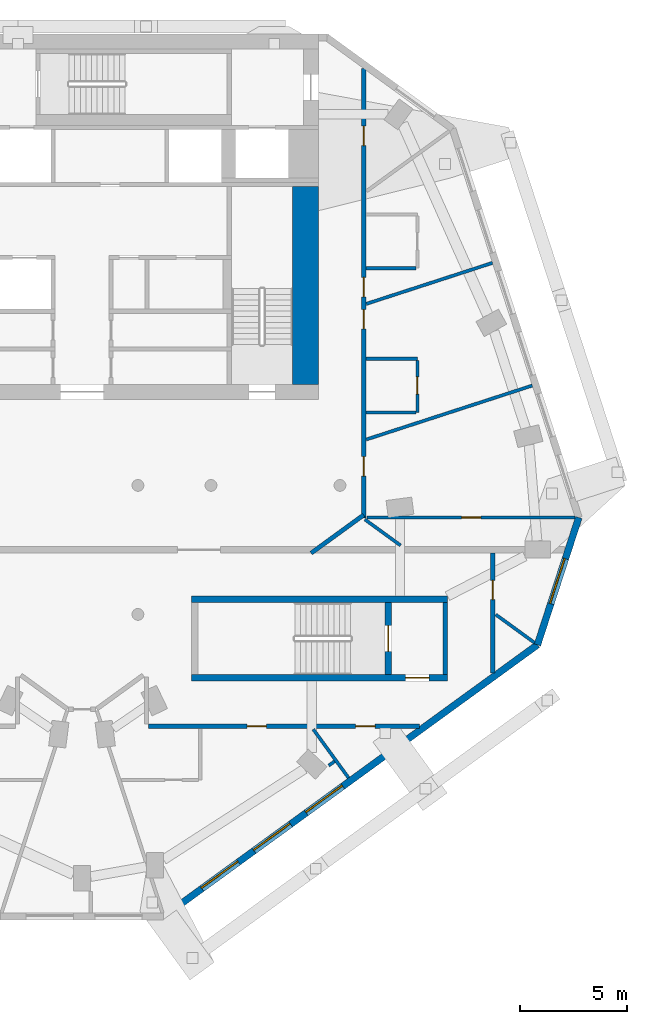
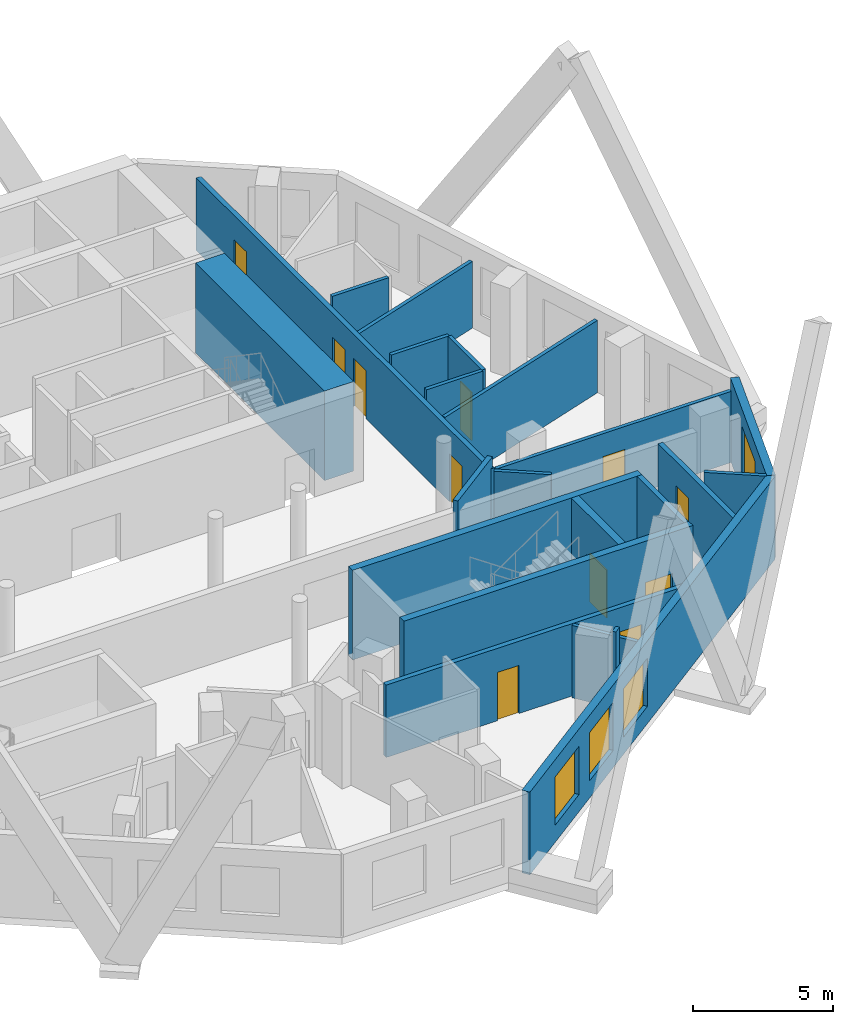
# One storey, part 5 of 9: 22 walls, 11 doors, 4 windows, 15 openings.
"""IFC4 building model written with IfcOpenShell, lengths in metres."""

import ifcopenshell
import ifcopenshell.guid

model = None  # the IFC model being written
_history = None  # IfcOwnerHistory: only IFC2X3 demands one
_inside = {}  # id of a spatial element -> (the spatial element, [elements in it])
_under = {}  # id of a project, library or spatial element -> (it, [spatial elements below it])
_declared = {}  # id of a project -> (the project, [libraries it declares])
_typed = {}  # id of a type object -> (the type object, [elements of that type])
_made_of = {}  # id of a material, layer set ... -> (it, [elements and type objects made of it])


def new_model(schema):
    """Start an empty IFC model of exactly this schema.

    Asked for "IFC4X3", IfcOpenShell would pick the latest addendum, in which some entities
    have other attributes; the version numbers below select the first issue.
    IFC2X3 requires an IfcOwnerHistory on every rooted entity: one is made here for all.
    """
    global model, _history
    if schema == "IFC4X3":
        model = ifcopenshell.file(schema_version=(4, 3, 0, 0))
    else:
        model = ifcopenshell.file(schema=schema)
    _inside.clear()
    _under.clear()
    _declared.clear()
    _typed.clear()
    _made_of.clear()
    _history = None
    if model.schema == "IFC2X3":
        org = make("IfcOrganization", Name="unknown")
        user = make(
            "IfcPersonAndOrganization",
            ThePerson=make("IfcPerson", FamilyName="unknown"),
            TheOrganization=org,
        )
        app = make(
            "IfcApplication",
            ApplicationDeveloper=org,
            Version="unknown",
            ApplicationFullName="unknown",
            ApplicationIdentifier="unknown",
        )
        _history = make(
            "IfcOwnerHistory",
            OwningUser=user,
            OwningApplication=app,
            ChangeAction="ADDED",
            CreationDate=0,
        )
    return model


def make(cls, **values):
    """One entity of the class cls with the attributes given. An attribute that is None is left unset."""
    return model.create_entity(
        cls, **{name: value for name, value in values.items() if value is not None}
    )


def rooted(cls, **values):
    """An entity with a GlobalId (a new one), such as an element, a storey or a relation."""
    return make(cls, GlobalId=ifcopenshell.guid.new(), OwnerHistory=_history, **values)


def si_unit(unit_type, name, prefix=None):
    """IfcSIUnit, for example si_unit("LENGTHUNIT", "METRE", prefix="MILLI")."""
    return make("IfcSIUnit", UnitType=unit_type, Prefix=prefix, Name=name)


def assignment(units):
    """IfcUnitAssignment: the units of a project."""
    return None if units is None else make("IfcUnitAssignment", Units=units)


def point(xyz):
    """IfcCartesianPoint."""
    return None if xyz is None else make("IfcCartesianPoint", Coordinates=xyz)


def direction(xyz):
    """IfcDirection."""
    return None if xyz is None else make("IfcDirection", DirectionRatios=xyz)


def frame(location, z_axis=None, x_axis=None):
    """IfcAxis2Placement3D, a coordinate frame: its origin and axes. An axis left out is left unset."""
    return make(
        "IfcAxis2Placement3D",
        Location=point(location),
        Axis=direction(z_axis),
        RefDirection=direction(x_axis),
    )


def frame_2d(location, x_axis=None):
    """IfcAxis2Placement2D, a coordinate frame in the plane: its origin and x axis."""
    return make(
        "IfcAxis2Placement2D", Location=point(location), RefDirection=direction(x_axis)
    )


def origin():
    """The frame at (0, 0, 0) with its axes left unset."""
    return frame((0.0, 0.0, 0.0))


def place(relative_to, where):
    """IfcLocalPlacement: puts the frame where relative to a parent placement (None: the world)."""
    return make(
        "IfcLocalPlacement", PlacementRelTo=relative_to, RelativePlacement=where
    )


def context(
    kind, dimensions, precision=None, world=None, true_north=None, identifier=None
):
    """IfcGeometricRepresentationContext, for example the 3D "Model" context."""
    return make(
        "IfcGeometricRepresentationContext",
        ContextIdentifier=identifier,
        ContextType=kind,
        CoordinateSpaceDimension=dimensions,
        Precision=precision,
        WorldCoordinateSystem=world,
        TrueNorth=true_north,
    )


def subcontext(parent, identifier, kind, view, scale=None):
    """IfcGeometricRepresentationSubContext, for example "Body" below "Model"."""
    return make(
        "IfcGeometricRepresentationSubContext",
        ContextIdentifier=identifier,
        ContextType=kind,
        ParentContext=parent,
        TargetScale=scale,
        TargetView=view,
    )


def project(units=None, contexts=None):
    """IfcProject with its units and contexts."""
    return rooted(
        "IfcProject",
        Name="project",
        RepresentationContexts=contexts,
        UnitsInContext=assignment(units),
    )


def spatial(cls, under=None, at=None, **own):
    """A site, building, storey or space (cls), placed at a placement, below another one or the project."""
    s = rooted(cls, ObjectPlacement=at, **own)
    if under is not None:
        _under.setdefault(under.id(), (under, []))[1].append(s)
    return s


def profile(cls, at=None, kind="AREA", **sizes):
    """A parametric profile (cls). Its sizes go by their IFC names, for example OverallWidth=200.0."""
    return make(cls, ProfileType=kind, Position=at, **sizes)


def rectangle(**sizes):
    """IfcRectangleProfileDef."""
    return profile("IfcRectangleProfileDef", **sizes)


def extrude(swept, where, along, depth):
    """IfcExtrudedAreaSolid: the profile swept, set in the frame where, extruded along a direction by depth."""
    return make(
        "IfcExtrudedAreaSolid",
        SweptArea=swept,
        Position=where,
        ExtrudedDirection=direction(along),
        Depth=depth,
    )


def shape(context_of_items, identifier, shape_type, items):
    """IfcShapeRepresentation: the items that make up one representation, for example the "Body"."""
    return make(
        "IfcShapeRepresentation",
        ContextOfItems=context_of_items,
        RepresentationIdentifier=identifier,
        RepresentationType=shape_type,
        Items=items,
    )


def material(Name=None, Category=None):
    """IfcMaterial."""
    return make("IfcMaterial", Name=Name, Category=Category)


def layer(
    of_material, thickness, ventilated=None, Name=None, Category=None, Priority=None
):
    """IfcMaterialLayer: one layer of a wall or slab, of a material (None: an air gap)."""
    return make(
        "IfcMaterialLayer",
        Material=of_material,
        LayerThickness=thickness,
        IsVentilated=ventilated,
        Name=Name,
        Category=Category,
        Priority=Priority,
    )


def layer_set(layers, Name=None):
    """IfcMaterialLayerSet."""
    return make("IfcMaterialLayerSet", MaterialLayers=layers, LayerSetName=Name)


def made_of(thing, what):
    """Note that an element or type object is made of a material, layer set ...; save() writes the relation."""
    if what is not None:
        _made_of.setdefault(what.id(), (what, []))[1].append(thing)
    return thing


def type_object(cls, material=None, **own):
    """A type object (cls), such as IfcWallType, which elements share."""
    return made_of(rooted(cls, **own), material)


def element(
    cls,
    number,
    at=None,
    inside=None,
    cuts=None,
    type_object=None,
    material=None,
    context=None,
    identifier="Body",
    shape_type=None,
    held_by="IfcProductDefinitionShape",
    body=None,
    shapes=None,
    **own,
):
    """One element of the class cls, such as IfcWall. Its Tag is "e" and its number.

    at: its placement. inside: the storey or other place that contains it. cuts: it is an
    opening in that element (IfcRelVoidsElement). A single representation is given by context,
    identifier, shape_type and body (its items); several are given by shapes. held_by: the class
    of the entity that holds the representations. save() writes the other relations.
    """
    e = rooted(cls, Tag="e%d" % number, ObjectPlacement=at, **own)
    if body is not None:
        shapes = [shape(context, identifier, shape_type, body)]
    if shapes is not None:
        e.Representation = make(held_by, Representations=shapes)
    if inside is not None:
        _inside.setdefault(inside.id(), (inside, []))[1].append(e)
    if cuts is not None:
        rooted(
            "IfcRelVoidsElement", RelatingBuildingElement=cuts, RelatedOpeningElement=e
        )
    if type_object is not None:
        _typed.setdefault(type_object.id(), (type_object, []))[1].append(e)
    return made_of(e, material)


def fill(opening, filler):
    """IfcRelFillsElement: the door or window that sits in an opening."""
    return rooted(
        "IfcRelFillsElement",
        RelatingOpeningElement=opening,
        RelatedBuildingElement=filler,
    )


def aggregate(whole, parts):
    """IfcRelAggregates: a whole, such as a stair, and the parts it consists of."""
    return rooted("IfcRelAggregates", RelatingObject=whole, RelatedObjects=parts)


def save(model, path):
    """Write the relations noted so far, then the file.

    IfcRelAggregates (storeys below a building ...), IfcRelContainedInSpatialStructure (elements
    in a storey), IfcRelDefinesByType, IfcRelAssociatesMaterial and IfcRelDeclares: one each for
    every whole, place, type object, material and project.
    """
    for whole, parts in _under.values():
        aggregate(whole, parts)
    for where, things in _inside.values():
        rooted(
            "IfcRelContainedInSpatialStructure",
            RelatedElements=things,
            RelatingStructure=where,
        )
    for kind, things in _typed.values():
        rooted("IfcRelDefinesByType", RelatedObjects=things, RelatingType=kind)
    for what, things in _made_of.values():
        rooted("IfcRelAssociatesMaterial", RelatedObjects=things, RelatingMaterial=what)
    for by, libraries in _declared.values():
        rooted("IfcRelDeclares", RelatingContext=by, RelatedDefinitions=libraries)
    model.write(path)


model = new_model("IFC4")

# Units and contexts
model_context = context("Model", 3, precision=1e-05, world=origin(), true_north=direction((0.0, 1.0)))
body_context = subcontext(model_context, "Body", "Model", "MODEL_VIEW")
ifc_project = project(units=[si_unit("LENGTHUNIT", "METRE"), si_unit("AREAUNIT", "SQUARE_METRE"), si_unit("VOLUMEUNIT", "CUBIC_METRE"), si_unit("PLANEANGLEUNIT", "RADIAN"), si_unit("MASSUNIT", "GRAM", prefix="KILO")], contexts=[model_context])

# Site, building, storey
site_placement = place(None, origin())
site = spatial("IfcSite", under=ifc_project, at=site_placement, CompositionType="ELEMENT")
building_placement = place(site_placement, origin())
building = spatial("IfcBuilding", under=site, at=building_placement, Name="White Candle Pilgrim Tower", CompositionType="ELEMENT")
storey_placement = place(building_placement, frame((0.0, 0.0, 271.699951171875)))
storey = spatial("IfcBuildingStorey", under=building, at=storey_placement, Name="L64", CompositionType="ELEMENT", Elevation=271.699951171875)

# Wall
ifc_material_1 = material(Name="Concrete C50/60", Category="concrete")
ifc_layer_1 = layer(ifc_material_1, 0.199951171875)
ifc_layer_set_1 = layer_set([ifc_layer_1], Name="Core wall 200 mm Concrete C50/60")
wall_type_1 = type_object("IfcWallType", Name="Core wall 200 mm Concrete C50/60", PredefinedType="SHEAR", material=ifc_layer_set_1)
wall_1_placement = place(storey_placement, frame((86.89990234375, 58.199951171875, 0.0), z_axis=(0.0, 0.0, 1.0), x_axis=(0.0, 1.0, 0.0)))
element("IfcWall", 1, at=wall_1_placement, inside=storey, type_object=wall_type_1, Name="WL-L64-C08", PredefinedType="SHEAR", context=body_context, shape_type="SweptSolid", body=[
    extrude(rectangle(XDim=3.35009765625, YDim=0.199951171875, at=frame_2d((1.675048828125, 0.0))), origin(), (0.0, 0.0, 1.0), 3.900146484375),
])

# Wall, openings, doors
ifc_material_2 = material(Name="Gypsum board on steel studs", Category="steel")
ifc_layer_2 = layer(ifc_material_2, 0.199951171875)
ifc_layer_set_2 = layer_set([ifc_layer_2], Name="Corridor wall 200 mm EI 45")
wall_type_2 = type_object("IfcWallType", Name="Corridor wall 200 mm EI 45", PredefinedType="PARTITIONING", material=ifc_layer_set_2)
wall_2_placement = place(storey_placement, frame((83.10009765625, 86.396240234375, 0.0), z_axis=(0.0, 0.0, 1.0), x_axis=(0.0, -1.0, 0.0)))
wall_2 = element("IfcWall", 2, at=wall_2_placement, inside=storey, type_object=wall_type_2, Name="WL-L64-P004", PredefinedType="PARTITIONING", context=body_context, shape_type="SweptSolid", body=[
    extrude(rectangle(XDim=20.91943359375, YDim=0.199951171875, at=frame_2d((10.459716796875, 0.0))), origin(), (0.0, 0.0, 1.0), 3.150146484375),
])
opening_1_placement = place(wall_2_placement, frame((2.68798828125, 0.0, 0.0)))
opening_1 = element("IfcOpeningElement", 3, at=opening_1_placement, cuts=wall_2, Name="Opening T20-117", PredefinedType="OPENING", context=body_context, shape_type="SweptSolid", body=[
    extrude(rectangle(XDim=0.89990234375, YDim=2.10009765625, at=frame_2d((0.449951171875, 1.050048828125))), frame((0.0, 0.10986328125, 0.0), z_axis=(0.0, -1.0, 0.0), x_axis=(1.0, 0.0, 0.0)), (0.0, 0.0, 1.0), 0.219970703125),
])
opening_2_placement = place(wall_2_placement, frame((9.719970703125, 0.0, 0.0)))
opening_2 = element("IfcOpeningElement", 4, at=opening_2_placement, cuts=wall_2, Name="Opening T20-118", PredefinedType="OPENING", context=body_context, shape_type="SweptSolid", body=[
    extrude(rectangle(XDim=0.89990234375, YDim=2.10009765625, at=frame_2d((0.449951171875, 1.050048828125))), frame((0.0, 0.10986328125, 0.0), z_axis=(0.0, -1.0, 0.0), x_axis=(1.0, 0.0, 0.0)), (0.0, 0.0, 1.0), 0.219970703125),
])
opening_3_placement = place(wall_2_placement, frame((11.214111328125, 0.0, 0.0)))
opening_3 = element("IfcOpeningElement", 5, at=opening_3_placement, cuts=wall_2, Name="Opening T20-119", PredefinedType="OPENING", context=body_context, shape_type="SweptSolid", body=[
    extrude(rectangle(XDim=0.89990234375, YDim=2.10009765625, at=frame_2d((0.449951171875, 1.050048828125))), frame((0.0, 0.10986328125, 0.0), z_axis=(0.0, -1.0, 0.0), x_axis=(1.0, 0.0, 0.0)), (0.0, 0.0, 1.0), 0.219970703125),
])
opening_4_placement = place(wall_2_placement, frame((18.05859375, 0.0, 0.0)))
opening_4 = element("IfcOpeningElement", 6, at=opening_4_placement, cuts=wall_2, Name="Opening T20-120", PredefinedType="OPENING", context=body_context, shape_type="SweptSolid", body=[
    extrude(rectangle(XDim=0.89990234375, YDim=2.10009765625, at=frame_2d((0.449951171875, 1.050048828125))), frame((0.0, 0.10986328125, 0.0), z_axis=(0.0, -1.0, 0.0), x_axis=(1.0, 0.0, 0.0)), (0.0, 0.0, 1.0), 0.219970703125),
])
ifc_material_3 = material(Name="Steel door leaf", Category="steel")
door_type_1 = type_object("IfcDoorType", Name="Fire door 900 x 2100 EI 30", OperationType="NOTDEFINED", PredefinedType="DOOR", material=ifc_material_3)
door_1_placement = place(opening_1_placement, origin())
door_1 = element("IfcDoor", 7, at=door_1_placement, inside=storey, type_object=door_type_1, Name="Door T20-117", OperationType="SINGLE_SWING_LEFT", OverallHeight=2.10009765625, OverallWidth=0.89990234375, PredefinedType="DOOR", context=body_context, shape_type="SweptSolid", body=[
    extrude(rectangle(XDim=0.89990234375, YDim=2.10009765625, at=frame_2d((0.449951171875, 1.050048828125))), frame((0.0, 0.02490234375, 0.0), z_axis=(0.0, -1.0, 0.0), x_axis=(1.0, 0.0, 0.0)), (0.0, 0.0, 1.0), 0.050048828125),
])
fill(opening_1, door_1)
door_2_placement = place(opening_2_placement, origin())
door_2 = element("IfcDoor", 8, at=door_2_placement, inside=storey, type_object=door_type_1, Name="Door T20-118", OperationType="SINGLE_SWING_RIGHT", OverallHeight=2.10009765625, OverallWidth=0.89990234375, PredefinedType="DOOR", context=body_context, shape_type="SweptSolid", body=[
    extrude(rectangle(XDim=0.89990234375, YDim=2.10009765625, at=frame_2d((0.449951171875, 1.050048828125))), frame((0.0, 0.02490234375, 0.0), z_axis=(0.0, -1.0, 0.0), x_axis=(1.0, 0.0, 0.0)), (0.0, 0.0, 1.0), 0.050048828125),
])
fill(opening_2, door_2)
door_3_placement = place(opening_3_placement, origin())
door_3 = element("IfcDoor", 9, at=door_3_placement, inside=storey, type_object=door_type_1, Name="Door T20-119", OperationType="SINGLE_SWING_LEFT", OverallHeight=2.10009765625, OverallWidth=0.89990234375, PredefinedType="DOOR", context=body_context, shape_type="SweptSolid", body=[
    extrude(rectangle(XDim=0.89990234375, YDim=2.10009765625, at=frame_2d((0.449951171875, 1.050048828125))), frame((0.0, 0.02490234375, 0.0), z_axis=(0.0, -1.0, 0.0), x_axis=(1.0, 0.0, 0.0)), (0.0, 0.0, 1.0), 0.050048828125),
])
fill(opening_3, door_3)
door_4_placement = place(opening_4_placement, origin())
door_4 = element("IfcDoor", 10, at=door_4_placement, inside=storey, type_object=door_type_1, Name="Door T20-120", OperationType="SINGLE_SWING_RIGHT", OverallHeight=2.10009765625, OverallWidth=0.89990234375, PredefinedType="DOOR", context=body_context, shape_type="SweptSolid", body=[
    extrude(rectangle(XDim=0.89990234375, YDim=2.10009765625, at=frame_2d((0.449951171875, 1.050048828125))), frame((0.0, 0.02490234375, 0.0), z_axis=(0.0, -1.0, 0.0), x_axis=(1.0, 0.0, 0.0)), (0.0, 0.0, 1.0), 0.050048828125),
])
fill(opening_4, door_4)

# Wall
wall_3_placement = place(storey_placement, frame((83.10009765625, 65.624267578125, 0.0), z_axis=(0.0, 0.0, 1.0), x_axis=(-0.809040258859, -0.587753230144, 0.0)))
element("IfcWall", 11, at=wall_3_placement, inside=storey, type_object=wall_type_2, Name="WL-L64-P005", PredefinedType="PARTITIONING", context=body_context, shape_type="SweptSolid", body=[
    extrude(rectangle(XDim=3.0185546875, YDim=0.199951171875, at=frame_2d((1.50927734375, 0.0))), origin(), (0.0, 0.0, 1.0), 3.60009765625),
])

# Wall, opening, door
wall_4_placement = place(storey_placement, frame((89.10009765625, 63.85009765625, 0.0), z_axis=(0.0, 0.0, 1.0), x_axis=(0.0, -1.0, 0.0)))
wall_4 = element("IfcWall", 12, at=wall_4_placement, inside=storey, type_object=wall_type_2, Name="WL-L64-P006", PredefinedType="PARTITIONING", context=body_context, shape_type="SweptSolid", body=[
    extrude(rectangle(XDim=5.58447265625, YDim=0.199951171875, at=frame_2d((2.792236328125, 0.0))), origin(), (0.0, 0.0, 1.0), 3.150146484375),
])
opening_5_placement = place(wall_4_placement, frame((1.264892578125, 0.0, 0.0)))
opening_5 = element("IfcOpeningElement", 13, at=opening_5_placement, cuts=wall_4, Name="Opening T20-122", PredefinedType="OPENING", context=body_context, shape_type="SweptSolid", body=[
    extrude(rectangle(XDim=0.89990234375, YDim=2.10009765625, at=frame_2d((0.449951171875, 1.050048828125))), frame((0.0, 0.10986328125, 0.0), z_axis=(0.0, -1.0, 0.0), x_axis=(1.0, 0.0, 0.0)), (0.0, 0.0, 1.0), 0.219970703125),
])
door_5_placement = place(opening_5_placement, origin())
door_5 = element("IfcDoor", 14, at=door_5_placement, inside=storey, type_object=door_type_1, Name="Door T20-122", OperationType="SINGLE_SWING_RIGHT", OverallHeight=2.10009765625, OverallWidth=0.89990234375, PredefinedType="DOOR", context=body_context, shape_type="SweptSolid", body=[
    extrude(rectangle(XDim=0.89990234375, YDim=2.10009765625, at=frame_2d((0.449951171875, 1.050048828125))), frame((0.0, 0.02490234375, 0.0), z_axis=(0.0, -1.0, 0.0), x_axis=(1.0, 0.0, 0.0)), (0.0, 0.0, 1.0), 0.050048828125),
])
fill(opening_5, door_5)

# Wall, openings, doors
wall_5_placement = place(storey_placement, frame((85.706298828125, 55.800048828125, 0.0), z_axis=(0.0, 0.0, 1.0), x_axis=(-1.0, 0.0, 0.0)))
wall_5 = element("IfcWall", 15, at=wall_5_placement, inside=storey, type_object=wall_type_2, Name="WL-L64-P007", PredefinedType="PARTITIONING", context=body_context, shape_type="SweptSolid", body=[
    extrude(rectangle(XDim=12.606201171875, YDim=0.199951171875, at=frame_2d((6.30322265625, 0.0))), origin(), (0.0, 0.0, 1.0), 3.150146484375),
])
opening_6_placement = place(wall_5_placement, frame((7.1298828125, 0.0, 0.0)))
opening_6 = element("IfcOpeningElement", 16, at=opening_6_placement, cuts=wall_5, Name="Opening T20-107", PredefinedType="OPENING", context=body_context, shape_type="SweptSolid", body=[
    extrude(rectangle(XDim=0.89990234375, YDim=2.10009765625, at=frame_2d((0.449951171875, 1.050048828125))), frame((0.0, 0.10986328125, 0.0), z_axis=(0.0, -1.0, 0.0), x_axis=(1.0, 0.0, 0.0)), (0.0, 0.0, 1.0), 0.219970703125),
])
opening_7_placement = place(wall_5_placement, frame((2.076904296875, 0.0, 0.0)))
opening_7 = element("IfcOpeningElement", 17, at=opening_7_placement, cuts=wall_5, Name="Opening T20-108", PredefinedType="OPENING", context=body_context, shape_type="SweptSolid", body=[
    extrude(rectangle(XDim=0.89990234375, YDim=2.10009765625, at=frame_2d((0.449951171875, 1.050048828125))), frame((0.0, 0.10986328125, 0.0), z_axis=(0.0, -1.0, 0.0), x_axis=(1.0, 0.0, 0.0)), (0.0, 0.0, 1.0), 0.219970703125),
])
door_6_placement = place(opening_6_placement, origin())
door_6 = element("IfcDoor", 18, at=door_6_placement, inside=storey, type_object=door_type_1, Name="Door T20-107", OperationType="SINGLE_SWING_LEFT", OverallHeight=2.10009765625, OverallWidth=0.89990234375, PredefinedType="DOOR", context=body_context, shape_type="SweptSolid", body=[
    extrude(rectangle(XDim=0.89990234375, YDim=2.10009765625, at=frame_2d((0.449951171875, 1.050048828125))), frame((0.0, 0.02490234375, 0.0), z_axis=(0.0, -1.0, 0.0), x_axis=(1.0, 0.0, 0.0)), (0.0, 0.0, 1.0), 0.050048828125),
])
fill(opening_6, door_6)
door_7_placement = place(opening_7_placement, origin())
door_7 = element("IfcDoor", 19, at=door_7_placement, inside=storey, type_object=door_type_1, Name="Door T20-108", OperationType="SINGLE_SWING_RIGHT", OverallHeight=2.10009765625, OverallWidth=0.89990234375, PredefinedType="DOOR", context=body_context, shape_type="SweptSolid", body=[
    extrude(rectangle(XDim=0.89990234375, YDim=2.10009765625, at=frame_2d((0.449951171875, 1.050048828125))), frame((0.0, 0.02490234375, 0.0), z_axis=(0.0, -1.0, 0.0), x_axis=(1.0, 0.0, 0.0)), (0.0, 0.0, 1.0), 0.050048828125),
])
fill(opening_7, door_7)

# Wall, openings, windows
ifc_material_4 = material(Name="Precast concrete C40/50", Category="concrete")
ifc_layer_3 = layer(ifc_material_4, 0.320068359375)
ifc_layer_set_3 = layer_set([ifc_layer_3], Name="Facade wall EW1 precast concrete C40/50 pier wall with timber-lined reveals")
wall_type_3 = type_object("IfcWallType", Name="Facade wall EW1 precast concrete C40/50 pier wall with timber-lined reveals", PredefinedType="SOLIDWALL", material=ifc_layer_set_3)
wall_6_placement = place(storey_placement, frame((73.799560546875, 46.951416015625, 0.0), z_axis=(0.0, 0.0, 1.0), x_axis=(0.809016992157, 0.587785255346, 0.0)))
wall_6 = element("IfcWall", 20, at=wall_6_placement, inside=storey, type_object=wall_type_3, Name="Facade wall L64 SE", PredefinedType="SOLIDWALL", context=body_context, shape_type="SweptSolid", body=[
    extrude(rectangle(XDim=21.490478515625, YDim=0.320068359375, at=frame_2d((10.7451171875, 0.0))), origin(), (0.0, 0.0, 1.0), 3.60009765625),
])
opening_8_placement = place(wall_6_placement, frame((2.1953125, 0.0, 0.75)))
opening_8 = element("IfcOpeningElement", 21, at=opening_8_placement, cuts=wall_6, Name="Opening W3", PredefinedType="OPENING", context=body_context, shape_type="SweptSolid", body=[
    extrude(rectangle(XDim=2.10009765625, YDim=2.10009765625, at=frame_2d((1.050048828125, 1.050048828125))), frame((0.0, 0.169921875, 0.0), z_axis=(0.0, -1.0, 0.0), x_axis=(1.0, 0.0, 0.0)), (0.0, 0.0, 1.0), 0.340087890625),
])
opening_9_placement = place(wall_6_placement, frame((5.1953125, 0.0, 0.75)))
opening_9 = element("IfcOpeningElement", 22, at=opening_9_placement, cuts=wall_6, Name="Opening W3", PredefinedType="OPENING", context=body_context, shape_type="SweptSolid", body=[
    extrude(rectangle(XDim=2.10009765625, YDim=2.10009765625, at=frame_2d((1.050048828125, 1.050048828125))), frame((0.0, 0.169921875, 0.0), z_axis=(0.0, -1.0, 0.0), x_axis=(1.0, 0.0, 0.0)), (0.0, 0.0, 1.0), 0.340087890625),
])
opening_10_placement = place(wall_6_placement, frame((8.1953125, 0.0, 0.75)))
opening_10 = element("IfcOpeningElement", 23, at=opening_10_placement, cuts=wall_6, Name="Opening W3", PredefinedType="OPENING", context=body_context, shape_type="SweptSolid", body=[
    extrude(rectangle(XDim=2.10009765625, YDim=2.10009765625, at=frame_2d((1.050048828125, 1.050048828125))), frame((0.0, 0.169921875, 0.0), z_axis=(0.0, -1.0, 0.0), x_axis=(1.0, 0.0, 0.0)), (0.0, 0.0, 1.0), 0.340087890625),
])
ifc_material_5 = material(Name="Timber frame with triple glazing", Category="wood")
window_type_1 = type_object("IfcWindowType", Name="Window W3 2100x2100 timber frame triple glazing", PartitioningType="SINGLE_PANEL", PredefinedType="WINDOW", material=ifc_material_5)
window_1_placement = place(opening_8_placement, origin())
window_1 = element("IfcWindow", 24, at=window_1_placement, inside=storey, type_object=window_type_1, Name="Window W3 L64 SE 1", OverallHeight=2.10009765625, OverallWidth=2.10009765625, PartitioningType="SINGLE_PANEL", PredefinedType="WINDOW", context=body_context, shape_type="SweptSolid", body=[
    extrude(rectangle(XDim=2.10009765625, YDim=2.10009765625, at=frame_2d((1.050048828125, 1.050048828125))), frame((0.0, 0.070068359375, 0.0), z_axis=(0.0, -1.0, 0.0), x_axis=(1.0, 0.0, 0.0)), (0.0, 0.0, 1.0), 0.06005859375),
])
fill(opening_8, window_1)
window_2_placement = place(opening_9_placement, origin())
window_2 = element("IfcWindow", 25, at=window_2_placement, inside=storey, type_object=window_type_1, Name="Window W3 L64 SE 2", OverallHeight=2.10009765625, OverallWidth=2.10009765625, PartitioningType="SINGLE_PANEL", PredefinedType="WINDOW", context=body_context, shape_type="SweptSolid", body=[
    extrude(rectangle(XDim=2.10009765625, YDim=2.10009765625, at=frame_2d((1.050048828125, 1.050048828125))), frame((0.0, 0.070068359375, 0.0), z_axis=(0.0, -1.0, 0.0), x_axis=(1.0, 0.0, 0.0)), (0.0, 0.0, 1.0), 0.06005859375),
])
fill(opening_9, window_2)
window_3_placement = place(opening_10_placement, origin())
window_3 = element("IfcWindow", 26, at=window_3_placement, inside=storey, type_object=window_type_1, Name="Window W3 L64 SE 3", OverallHeight=2.10009765625, OverallWidth=2.10009765625, PartitioningType="SINGLE_PANEL", PredefinedType="WINDOW", context=body_context, shape_type="SweptSolid", body=[
    extrude(rectangle(XDim=2.10009765625, YDim=2.10009765625, at=frame_2d((1.050048828125, 1.050048828125))), frame((0.0, 0.070068359375, 0.0), z_axis=(0.0, -1.0, 0.0), x_axis=(1.0, 0.0, 0.0)), (0.0, 0.0, 1.0), 0.06005859375),
])
fill(opening_10, window_3)

# Wall, opening, window
wall_7_placement = place(storey_placement, frame((91.185791015625, 59.583251953125, 0.0), z_axis=(0.0, 0.0, 1.0), x_axis=(0.309021364513, 0.95105509634, 0.0)))
wall_7 = element("IfcWall", 27, at=wall_7_placement, inside=storey, type_object=wall_type_3, Name="Facade wall L64 E chamfer", PredefinedType="SOLIDWALL", context=body_context, shape_type="SweptSolid", body=[
    extrude(rectangle(XDim=6.22802734375, YDim=0.320068359375, at=frame_2d((3.114013671875, 0.0))), origin(), (0.0, 0.0, 1.0), 3.60009765625),
])
opening_11_placement = place(wall_7_placement, frame((2.013916015625, 0.0, 0.75)))
opening_11 = element("IfcOpeningElement", 28, at=opening_11_placement, cuts=wall_7, Name="Opening W4", PredefinedType="OPENING", context=body_context, shape_type="SweptSolid", body=[
    extrude(rectangle(XDim=2.199951171875, YDim=2.10009765625, at=frame_2d((1.10009765625, 1.050048828125))), frame((0.0, 0.169921875, 0.0), z_axis=(0.0, -1.0, 0.0), x_axis=(1.0, 0.0, 0.0)), (0.0, 0.0, 1.0), 0.340087890625),
])
window_type_2 = type_object("IfcWindowType", Name="Window W4 2200x2100 timber frame triple glazing", PartitioningType="SINGLE_PANEL", PredefinedType="WINDOW", material=ifc_material_5)
window_4_placement = place(opening_11_placement, origin())
window_4 = element("IfcWindow", 29, at=window_4_placement, inside=storey, type_object=window_type_2, Name="Window W4 L64 E chamfer 1", OverallHeight=2.10009765625, OverallWidth=2.199951171875, PartitioningType="SINGLE_PANEL", PredefinedType="WINDOW", context=body_context, shape_type="SweptSolid", body=[
    extrude(rectangle(XDim=2.199951171875, YDim=2.10009765625, at=frame_2d((1.10009765625, 1.050048828125))), frame((0.0, 0.070068359375, 0.0), z_axis=(0.0, -1.0, 0.0), x_axis=(1.0, 0.0, 0.0)), (0.0, 0.0, 1.0), 0.06005859375),
])
fill(opening_11, window_4)

# Walls
ifc_layer_4 = layer(ifc_material_2, 0.14990234375)
ifc_layer_set_4 = layer_set([ifc_layer_4], Name="Partition 150 mm EI 60")
wall_type_4 = type_object("IfcWallType", Name="Partition 150 mm EI 60", PredefinedType="PARTITIONING", material=ifc_layer_set_4)
wall_8_placement = place(storey_placement, frame((91.0498046875, 59.68212890625, 0.0), z_axis=(0.0, 0.0, 1.0), x_axis=(-0.809043446495, 0.58774884235, 0.0)))
element("IfcWall", 30, at=wall_8_placement, inside=storey, type_object=wall_type_4, Name="WL-L64-P021", PredefinedType="PARTITIONING", context=body_context, shape_type="SweptSolid", body=[
    extrude(rectangle(XDim=2.23193359375, YDim=0.14990234375, at=frame_2d((1.115966796875, 0.0))), origin(), (0.0, 0.0, 1.0), 3.60009765625),
])
wall_9_placement = place(storey_placement, frame((84.816650390625, 64.210693359375, 0.0), z_axis=(0.0, 0.0, 1.0), x_axis=(-0.808988095345, 0.587825026338, 0.0)))
element("IfcWall", 31, at=wall_9_placement, inside=storey, type_object=wall_type_4, Name="WL-L64-P022", PredefinedType="PARTITIONING", context=body_context, shape_type="SweptSolid", body=[
    extrude(rectangle(XDim=2.05224609375, YDim=0.14990234375, at=frame_2d((1.026123046875, 0.0))), origin(), (0.0, 0.0, 1.0), 3.10009765625),
])

# Wall, opening, door
wall_10_placement = place(storey_placement, frame((92.94189453125, 65.506103515625, 0.0), z_axis=(0.0, 0.0, 1.0), x_axis=(-1.0, 0.0, 0.0)))
wall_10 = element("IfcWall", 32, at=wall_10_placement, inside=storey, type_object=wall_type_4, Name="WL-L64-P023", PredefinedType="PARTITIONING", context=body_context, shape_type="SweptSolid", body=[
    extrude(rectangle(XDim=9.677490234375, YDim=0.14990234375, at=frame_2d((4.8388671875, 0.0))), origin(), (0.0, 0.0, 1.0), 3.10009765625),
])
opening_12_placement = place(wall_10_placement, frame((4.388916015625, 0.0, 0.0)))
opening_12 = element("IfcOpeningElement", 33, at=opening_12_placement, cuts=wall_10, Name="Opening T20-121", PredefinedType="OPENING", context=body_context, shape_type="SweptSolid", body=[
    extrude(rectangle(XDim=0.89990234375, YDim=2.10009765625, at=frame_2d((0.449951171875, 1.050048828125))), frame((0.0, 0.0849609375, 0.0), z_axis=(0.0, -1.0, 0.0), x_axis=(1.0, 0.0, 0.0)), (0.0, 0.0, 1.0), 0.169921875),
])
door_8_placement = place(opening_12_placement, origin())
door_8 = element("IfcDoor", 34, at=door_8_placement, inside=storey, type_object=door_type_1, Name="Door T20-121", OperationType="SINGLE_SWING_LEFT", OverallHeight=2.10009765625, OverallWidth=0.89990234375, PredefinedType="DOOR", context=body_context, shape_type="SweptSolid", body=[
    extrude(rectangle(XDim=0.89990234375, YDim=2.10009765625, at=frame_2d((0.449951171875, 1.050048828125))), frame((0.0, 0.02490234375, 0.0), z_axis=(0.0, -1.0, 0.0), x_axis=(1.0, 0.0, 0.0)), (0.0, 0.0, 1.0), 0.050048828125),
])
fill(opening_12, door_8)

# Walls
wall_11_placement = place(storey_placement, frame((82.398681640625, 53.396728515625, 0.0), z_axis=(0.0, 0.0, 1.0), x_axis=(-0.587760958755, 0.809034644106, 0.0)))
element("IfcWall", 35, at=wall_11_placement, inside=storey, type_object=wall_type_4, Name="WL-L64-P033", PredefinedType="PARTITIONING", context=body_context, shape_type="SweptSolid", body=[
    extrude(rectangle(XDim=2.79248046875, YDim=0.14990234375, at=frame_2d((1.396240234375, 0.0))), origin(), (0.0, 0.0, 1.0), 3.150146484375),
])
wall_12_placement = place(storey_placement, frame((90.947265625, 71.6455078125, 0.0), z_axis=(0.0, 0.0, 1.0), x_axis=(-0.951063666358, -0.308994987878, 0.0)))
element("IfcWall", 36, at=wall_12_placement, inside=storey, type_object=wall_type_4, Name="WL-L64-P036", PredefinedType="PARTITIONING", context=body_context, shape_type="SweptSolid", body=[
    extrude(rectangle(XDim=8.12158203125, YDim=0.14990234375, at=frame_2d((4.060791015625, 0.0))), origin(), (0.0, 0.0, 1.0), 3.150146484375),
])
wall_13_placement = place(storey_placement, frame((89.093017578125, 77.351806640625, 0.0), z_axis=(0.0, 0.0, 1.0), x_axis=(-0.951057030792, -0.309015410912, 0.0)))
element("IfcWall", 37, at=wall_13_placement, inside=storey, type_object=wall_type_4, Name="WL-L64-P037", PredefinedType="PARTITIONING", context=body_context, shape_type="SweptSolid", body=[
    extrude(rectangle(XDim=6.171875, YDim=0.14990234375, at=frame_2d((3.0859375, 0.0))), origin(), (0.0, 0.0, 1.0), 2.900146484375),
])
wall_14_placement = place(storey_placement, frame((83.199951171875, 72.89599609375, 0.0), z_axis=(0.0, 0.0, 1.0), x_axis=(1.0, 0.0, 0.0)))
element("IfcWall", 38, at=wall_14_placement, inside=storey, type_object=wall_type_4, Name="WL-L64-P038", PredefinedType="PARTITIONING", context=body_context, shape_type="SweptSolid", body=[
    extrude(rectangle(XDim=2.400146484375, YDim=0.14990234375, at=frame_2d((1.2001953125, 0.0))), origin(), (0.0, 0.0, 1.0), 3.60009765625),
])

# Wall, opening, door
wall_15_placement = place(storey_placement, frame((85.60009765625, 70.39599609375, 0.0), z_axis=(0.0, 0.0, 1.0), x_axis=(0.0, 1.0, 0.0)))
wall_15 = element("IfcWall", 39, at=wall_15_placement, inside=storey, type_object=wall_type_4, Name="WL-L64-P039", PredefinedType="PARTITIONING", context=body_context, shape_type="SweptSolid", body=[
    extrude(rectangle(XDim=2.4248046875, YDim=0.14990234375, at=frame_2d((1.21240234375, 0.0))), origin(), (0.0, 0.0, 1.0), 3.60009765625),
])
opening_13_placement = place(wall_15_placement, frame((0.85009765625, 0.0, 0.0)))
opening_13 = element("IfcOpeningElement", 40, at=opening_13_placement, cuts=wall_15, Name="Opening T20-109", PredefinedType="OPENING", context=body_context, shape_type="SweptSolid", body=[
    extrude(rectangle(XDim=0.800048828125, YDim=2.10009765625, at=frame_2d((0.39990234375, 1.050048828125))), frame((0.0, 0.0849609375, 0.0), z_axis=(0.0, -1.0, 0.0), x_axis=(1.0, 0.0, 0.0)), (0.0, 0.0, 1.0), 0.169921875),
])
door_type_2 = type_object("IfcDoorType", Name="Fire door 800 x 2100 EI 30", OperationType="NOTDEFINED", PredefinedType="DOOR", material=ifc_material_3)
door_9_placement = place(opening_13_placement, frame((0.800048828125, 0.0, 0.0), z_axis=(0.0, 0.0, 1.0), x_axis=(-1.0, 0.0, 0.0)))
door_9 = element("IfcDoor", 41, at=door_9_placement, inside=storey, type_object=door_type_2, Name="Door T20-109", OperationType="SINGLE_SWING_RIGHT", OverallHeight=2.10009765625, OverallWidth=0.800048828125, PredefinedType="DOOR", context=body_context, shape_type="SweptSolid", body=[
    extrude(rectangle(XDim=0.800048828125, YDim=2.10009765625, at=frame_2d((0.39990234375, 1.050048828125))), frame((0.0, 0.02490234375, 0.0), z_axis=(0.0, -1.0, 0.0), x_axis=(1.0, 0.0, 0.0)), (0.0, 0.0, 1.0), 0.050048828125),
])
fill(opening_13, door_9)

# Walls
for number, where, z_axis, x_axis, name in (
    (42, (83.199951171875, 70.39599609375, 0.0), (0.0, 0.0, 1.0), (1.0, 0.0, 0.0), "WL-L64-P040"),
    (43, (83.199951171875, 77.1044921875, 0.0), (0.0, 0.0, 1.0), (1.0, 0.0, 0.0), "WL-L64-P043"),
):
    element("IfcWall", number, at=place(storey_placement, frame(where, z_axis=z_axis, x_axis=x_axis)), inside=storey, type_object=wall_type_4, Name=name, PredefinedType="PARTITIONING", context=body_context, shape_type="SweptSolid", body=[
        extrude(rectangle(XDim=2.324951171875, YDim=0.14990234375, at=frame_2d((1.16259765625, 0.0))), origin(), (0.0, 0.0, 1.0), 3.60009765625),
    ])
wall_16_placement = place(storey_placement, frame((81.474609375, 53.966064453125, 0.0), z_axis=(0.0, 0.0, 1.0), x_axis=(0.808923438647, 0.587913999159, 0.0)))
element("IfcWall", 44, at=wall_16_placement, inside=storey, type_object=wall_type_4, Name="WL-L64-P045", PredefinedType="PARTITIONING", context=body_context, shape_type="SweptSolid", body=[
    extrude(rectangle(XDim=0.338134765625, YDim=0.14990234375, at=frame_2d((0.1689453125, 0.0))), origin(), (0.0, 0.0, 1.0), 3.60009765625),
])
ifc_layer_5 = layer(ifc_material_1, 1.199951171875)
ifc_layer_set_5 = layer_set([ifc_layer_5], Name="Stair shaft wall 1200 mm Concrete C50/60")
wall_type_5 = type_object("IfcWallType", Name="Stair shaft wall 1200 mm Concrete C50/60", PredefinedType="SHEAR", material=ifc_layer_set_5)
wall_17_placement = place(storey_placement, frame((80.39990234375, 71.699951171875, 0.0), z_axis=(0.0, 0.0, 1.0), x_axis=(0.0, 1.0, 0.0)))
element("IfcWall", 45, at=wall_17_placement, inside=storey, type_object=wall_type_5, Name="WL-L64-C17", PredefinedType="SHEAR", context=body_context, shape_type="SweptSolid", body=[
    extrude(rectangle(XDim=9.199951171875, YDim=1.199951171875, at=frame_2d((4.60009765625, 0.0))), origin(), (0.0, 0.0, 1.0), 3.900146484375),
])

# Wall, opening, door
ifc_layer_6 = layer(ifc_material_1, 0.300048828125)
ifc_layer_set_6 = layer_set([ifc_layer_6], Name="Stair shaft wall 300 mm Concrete C50/60")
wall_type_6 = type_object("IfcWallType", Name="Stair shaft wall 300 mm Concrete C50/60", PredefinedType="SHEAR", material=ifc_layer_set_6)
wall_18_placement = place(storey_placement, frame((75.10009765625, 58.050048828125, 0.0), z_axis=(0.0, 0.0, 1.0), x_axis=(1.0, 0.0, 0.0)))
wall_18 = element("IfcWall", 46, at=wall_18_placement, inside=storey, type_object=wall_type_6, Name="WL-L64-C02", PredefinedType="SHEAR", context=body_context, shape_type="SweptSolid", body=[
    extrude(rectangle(XDim=11.89990234375, YDim=0.300048828125, at=frame_2d((5.949951171875, 0.0))), origin(), (0.0, 0.0, 1.0), 3.900146484375),
])
opening_14_placement = place(wall_18_placement, frame((9.949951171875, 0.0, 0.0)))
opening_14 = element("IfcOpeningElement", 47, at=opening_14_placement, cuts=wall_18, Name="Opening T20-013", PredefinedType="OPENING", context=body_context, shape_type="SweptSolid", body=[
    extrude(rectangle(XDim=1.10009765625, YDim=2.10009765625, at=frame_2d((0.550048828125, 1.050048828125))), frame((0.0, 0.159912109375, 0.0), z_axis=(0.0, -1.0, 0.0), x_axis=(1.0, 0.0, 0.0)), (0.0, 0.0, 1.0), 0.320068359375),
])
door_type_3 = type_object("IfcDoorType", Name="Fire door 1100 x 2100 EI 60", OperationType="NOTDEFINED", PredefinedType="DOOR", material=ifc_material_3)
door_10_placement = place(opening_14_placement, origin())
door_10 = element("IfcDoor", 48, at=door_10_placement, inside=storey, type_object=door_type_3, Name="Door T20-013", OperationType="SINGLE_SWING_LEFT", OverallHeight=2.10009765625, OverallWidth=1.10009765625, PredefinedType="DOOR", context=body_context, shape_type="SweptSolid", body=[
    extrude(rectangle(XDim=1.10009765625, YDim=2.10009765625, at=frame_2d((0.550048828125, 1.050048828125))), frame((0.0, 0.02490234375, 0.0), z_axis=(0.0, -1.0, 0.0), x_axis=(1.0, 0.0, 0.0)), (0.0, 0.0, 1.0), 0.050048828125),
])
fill(opening_14, door_10)

wall_19_placement = place(storey_placement, frame((84.25, 58.199951171875, 0.0), z_axis=(0.0, 0.0, 1.0), x_axis=(0.0, 1.0, 0.0)))
wall_19 = element("IfcWall", 49, at=wall_19_placement, inside=storey, type_object=wall_type_6, Name="WL-L64-C07", PredefinedType="SHEAR", context=body_context, shape_type="SweptSolid", body=[
    extrude(rectangle(XDim=3.35009765625, YDim=0.300048828125, at=frame_2d((1.675048828125, 0.0))), origin(), (0.0, 0.0, 1.0), 3.900146484375),
])
opening_15_placement = place(wall_19_placement, frame((1.074951171875, 0.0, 0.0)))
opening_15 = element("IfcOpeningElement", 50, at=opening_15_placement, cuts=wall_19, Name="Opening T20-014", PredefinedType="OPENING", context=body_context, shape_type="SweptSolid", body=[
    extrude(rectangle(XDim=1.199951171875, YDim=2.10009765625, at=frame_2d((0.60009765625, 1.050048828125))), frame((0.0, 0.159912109375, 0.0), z_axis=(0.0, -1.0, 0.0), x_axis=(1.0, 0.0, 0.0)), (0.0, 0.0, 1.0), 0.320068359375),
])
door_type_4 = type_object("IfcDoorType", Name="Fire door 1200 x 2100 EI 60", OperationType="NOTDEFINED", PredefinedType="DOOR", material=ifc_material_3)
door_11_placement = place(opening_15_placement, origin())
door_11 = element("IfcDoor", 51, at=door_11_placement, inside=storey, type_object=door_type_4, Name="Door T20-014", OperationType="SINGLE_SWING_RIGHT", OverallHeight=2.10009765625, OverallWidth=1.199951171875, PredefinedType="DOOR", context=body_context, shape_type="SweptSolid", body=[
    extrude(rectangle(XDim=1.199951171875, YDim=2.10009765625, at=frame_2d((0.60009765625, 1.050048828125))), frame((0.0, 0.02490234375, 0.0), z_axis=(0.0, -1.0, 0.0), x_axis=(1.0, 0.0, 0.0)), (0.0, 0.0, 1.0), 0.050048828125),
])
fill(opening_15, door_11)

# Wall
wall_20_placement = place(storey_placement, frame((75.10009765625, 61.699951171875, 0.0), z_axis=(0.0, 0.0, 1.0), x_axis=(1.0, 0.0, 0.0)))
element("IfcWall", 52, at=wall_20_placement, inside=storey, type_object=wall_type_6, Name="WL-L64-C10", PredefinedType="SHEAR", context=body_context, shape_type="SweptSolid", body=[
    extrude(rectangle(XDim=11.89990234375, YDim=0.300048828125, at=frame_2d((5.949951171875, 0.0))), origin(), (0.0, 0.0, 1.0), 3.900146484375),
])

save(model, "model.ifc")
